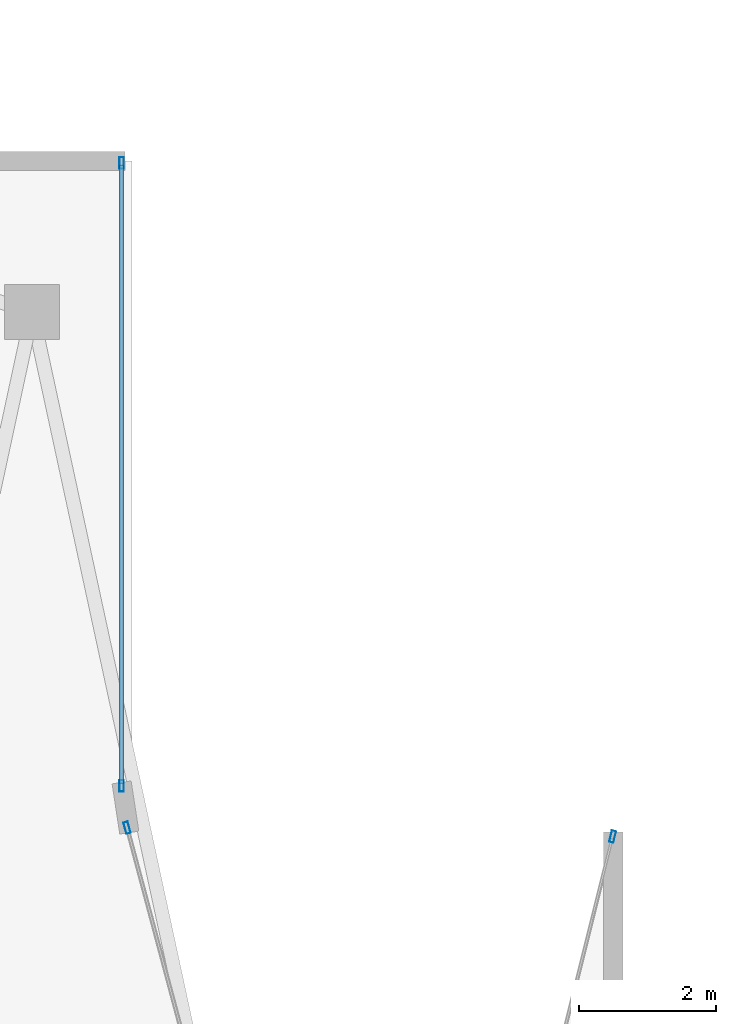
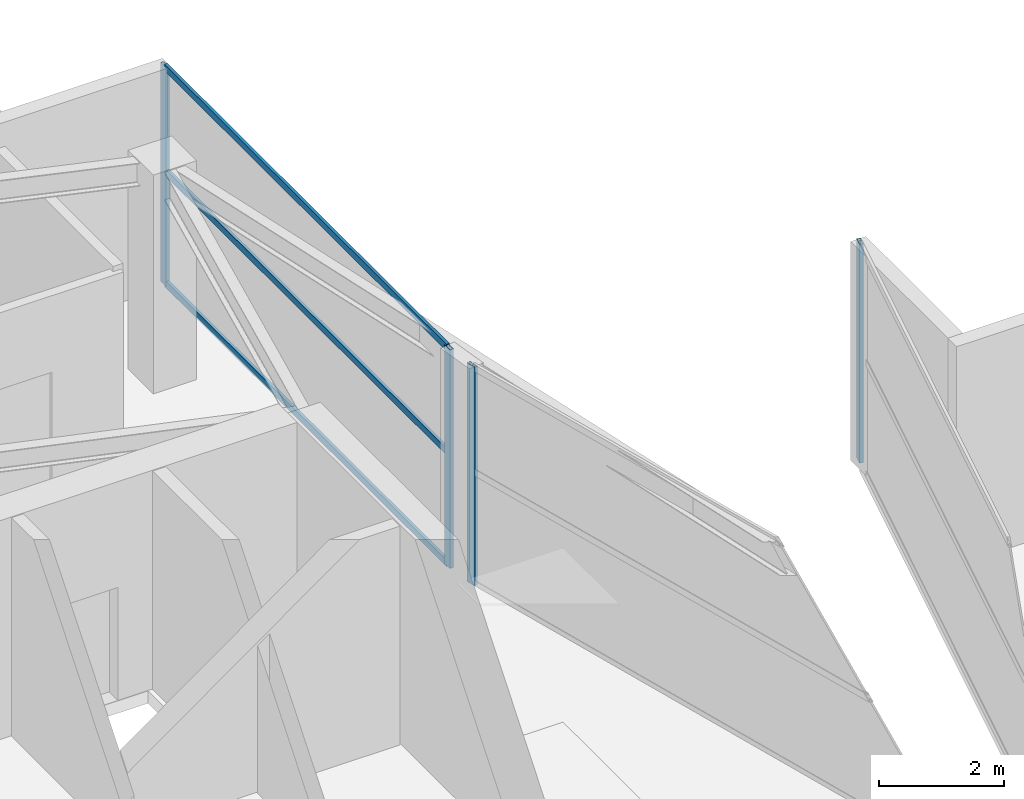
# One storey, part 18 of 25: 7 members, 3 elements without a shape of their own.
"""IFC4 building model written with IfcOpenShell, lengths in metres."""

from ifc_helpers import new_model, si_unit, direction, frame, origin, origin_2d, place, context, subcontext, project, spatial, hollow_rectangle, extrude, material, layer, layer_set, material_profile, profile_set, type_object, element, aggregate, save


model = new_model("IFC4")

# Units and contexts
model_context = context("Model", 3, precision=1e-05, world=origin(), true_north=direction((0.0, 1.0)))
body_context = subcontext(model_context, "Body", "Model", "MODEL_VIEW")
ifc_project = project(units=[si_unit("LENGTHUNIT", "METRE"), si_unit("AREAUNIT", "SQUARE_METRE"), si_unit("VOLUMEUNIT", "CUBIC_METRE"), si_unit("PLANEANGLEUNIT", "RADIAN"), si_unit("MASSUNIT", "GRAM", prefix="KILO")], contexts=[model_context])

# Site, building, storey
site_placement = place(None, origin())
site = spatial("IfcSite", under=ifc_project, at=site_placement, CompositionType="ELEMENT")
building_placement = place(site_placement, origin())
building = spatial("IfcBuilding", under=site, at=building_placement, Name="Calvorn Quay Hotel", CompositionType="ELEMENT")
storey_placement = place(building_placement, frame((0.0, 0.0, 316.0)))
storey = spatial("IfcBuildingStorey", under=building, at=storey_placement, Name="L78", CompositionType="ELEMENT", Elevation=316.0)

# Curtain wall, member
ifc_material_1 = material(Name="Champagne Bronze Anodised Aluminium and Low-E Glass", Category="aluminium")
ifc_layer = layer(ifc_material_1, 0.219970703125)
ifc_layer_set = layer_set([ifc_layer], Name="CW-SYS-Z4")
curtain_wall_type = type_object("IfcCurtainWallType", Name="CW-SYS-Z4", PredefinedType="NOTDEFINED", material=ifc_layer_set)
curtain_wall_1_placement = place(storey_placement, origin())
curtain_wall_1 = element("IfcCurtainWall", 1, at=curtain_wall_1_placement, inside=storey, type_object=curtain_wall_type, Name="Inner Court Curtain Wall L78-NE1", PredefinedType="NOTDEFINED")
ifc_material_2 = material(Name="Champagne Bronze Anodised Aluminium 6063-T6", Category="aluminium")
ifc_material_profile_1 = material_profile(ifc_material_2, hollow_rectangle(XDim=0.06494140625, YDim=0.169921875, WallThickness=0.00341796875, at=origin_2d()), Name="ALU-M170x65x3.5")
ifc_profile_set_1 = profile_set([ifc_material_profile_1], Name="Champagne Bronze Anodised Aluminium 6063-T6")
member_type_1 = type_object("IfcMemberType", Name="CW-SYS-Z4-MUL", PredefinedType="MULLION", material=ifc_profile_set_1)
member_1_placement = place(storey_placement, frame((24.99267578125, 37.970947265625, 0.0), z_axis=(0.0, 0.0, 1.0), x_axis=(0.970142500145, -0.242535625038, 0.0)))
member_1 = element("IfcMember", 2, at=member_1_placement, type_object=member_type_1, Name="CW-L78-NE1 mullion 1", PredefinedType="MULLION", context=body_context, shape_type="SweptSolid", body=[
    extrude(hollow_rectangle(XDim=0.06494140625, YDim=0.169921875, WallThickness=0.00341796875, at=origin_2d()), origin(), (0.0, 0.0, 1.0), 4.260009765625),
])
aggregate(curtain_wall_1, [member_1])

curtain_wall_2_placement = place(storey_placement, origin())
curtain_wall_2 = element("IfcCurtainWall", 3, at=curtain_wall_2_placement, inside=storey, type_object=curtain_wall_type, Name="Inner Court Curtain Wall L78-IC1", PredefinedType="NOTDEFINED")
member_2_placement = place(storey_placement, frame((17.9296875, 38.10107421875, 0.0), z_axis=(0.0, 0.0, 1.0), x_axis=(-0.96593652056, -0.25877913024, 0.0)))
member_2 = element("IfcMember", 4, at=member_2_placement, type_object=member_type_1, Name="CW-L78-IC1 mullion 2", PredefinedType="MULLION", context=body_context, shape_type="SweptSolid", body=[
    extrude(hollow_rectangle(XDim=0.06494140625, YDim=0.169921875, WallThickness=0.00341796875, at=origin_2d()), origin(), (0.0, 0.0, 1.0), 4.260009765625),
])
aggregate(curtain_wall_2, [member_2])

# Curtain wall, members
curtain_wall_3_placement = place(storey_placement, origin())
curtain_wall_3 = element("IfcCurtainWall", 5, at=curtain_wall_3_placement, inside=storey, type_object=curtain_wall_type, Name="Inner Court Curtain Wall L78-IC2", PredefinedType="NOTDEFINED")
member_3_placement = place(storey_placement, frame((17.85009765625, 38.7099609375, 0.0), z_axis=(0.0, 0.0, 1.0), x_axis=(-1.0, 0.0, 0.0)))
member_3 = element("IfcMember", 6, at=member_3_placement, type_object=member_type_1, Name="CW-L78-IC2 mullion 1", PredefinedType="MULLION", context=body_context, shape_type="SweptSolid", body=[
    extrude(hollow_rectangle(XDim=0.06494140625, YDim=0.169921875, WallThickness=0.00341796875, at=origin_2d()), origin(), (0.0, 0.0, 1.0), 4.260009765625),
])
member_4_placement = place(storey_placement, frame((17.85009765625, 47.77001953125, 0.0), z_axis=(0.0, 0.0, 1.0), x_axis=(-1.0, 0.0, 0.0)))
member_4 = element("IfcMember", 7, at=member_4_placement, type_object=member_type_1, Name="CW-L78-IC2 mullion 2", PredefinedType="MULLION", context=body_context, shape_type="SweptSolid", body=[
    extrude(hollow_rectangle(XDim=0.06494140625, YDim=0.169921875, WallThickness=0.00341796875, at=origin_2d()), origin(), (0.0, 0.0, 1.0), 4.260009765625),
])
ifc_material_3 = material(Name="Champagne Bronze Anodised Aluminium 6063-T6", Category="aluminium")
ifc_material_profile_2 = material_profile(ifc_material_3, hollow_rectangle(XDim=0.054931640625, YDim=0.1298828125, WallThickness=0.003173828125, at=origin_2d()), Name="ALU-T130x55x3.2")
ifc_profile_set_2 = profile_set([ifc_material_profile_2], Name="Champagne Bronze Anodised Aluminium 6063-T6")
member_type_2 = type_object("IfcMemberType", Name="CW-SYS-Z4-TRN", PredefinedType="USERDEFINED", material=ifc_profile_set_2)
member_5_placement = place(storey_placement, frame((17.85009765625, 38.739990234375, 0.030029296875), z_axis=(0.0, 1.0, 0.0), x_axis=(-1.0, 0.0, 0.0)))
member_5 = element("IfcMember", 8, at=member_5_placement, type_object=member_type_2, Name="CW-L78-IC2 transom 1.1", ObjectType="TRANSOM", PredefinedType="USERDEFINED", context=body_context, shape_type="SweptSolid", body=[
    extrude(hollow_rectangle(XDim=0.054931640625, YDim=0.1298828125, WallThickness=0.003173828125, at=origin_2d()), origin(), (0.0, 0.0, 1.0), 9.0),
])
member_6_placement = place(storey_placement, frame((17.85009765625, 38.739990234375, 2.199951171875), z_axis=(0.0, 1.0, 0.0), x_axis=(-1.0, 0.0, 0.0)))
member_6 = element("IfcMember", 9, at=member_6_placement, type_object=member_type_2, Name="CW-L78-IC2 transom 1.2", ObjectType="TRANSOM", PredefinedType="USERDEFINED", context=body_context, shape_type="SweptSolid", body=[
    extrude(hollow_rectangle(XDim=0.054931640625, YDim=0.1298828125, WallThickness=0.003173828125, at=origin_2d()), origin(), (0.0, 0.0, 1.0), 9.0),
])
member_7_placement = place(storey_placement, frame((17.85009765625, 38.739990234375, 4.22998046875), z_axis=(0.0, 1.0, 0.0), x_axis=(-1.0, 0.0, 0.0)))
member_7 = element("IfcMember", 10, at=member_7_placement, type_object=member_type_2, Name="CW-L78-IC2 transom 1.3", ObjectType="TRANSOM", PredefinedType="USERDEFINED", context=body_context, shape_type="SweptSolid", body=[
    extrude(hollow_rectangle(XDim=0.054931640625, YDim=0.1298828125, WallThickness=0.003173828125, at=origin_2d()), origin(), (0.0, 0.0, 1.0), 9.0),
])
aggregate(curtain_wall_3, [member_3, member_4, member_5, member_6, member_7])

save(model, "model.ifc")
